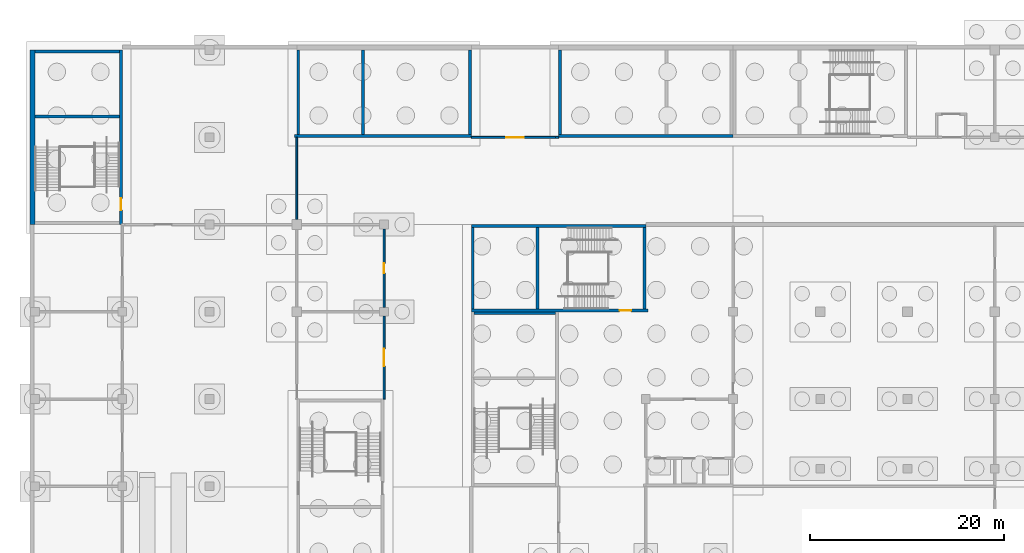
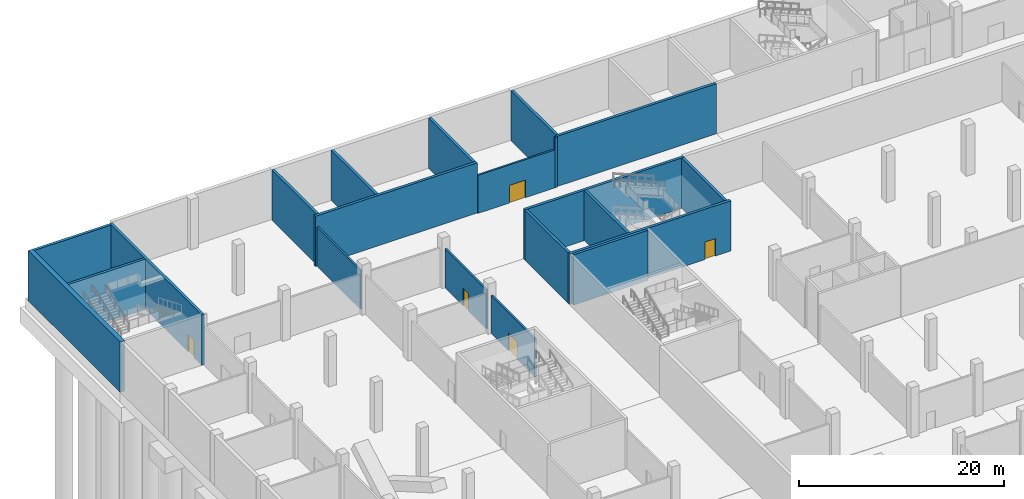
# One storey, part 13 of 42: 21 walls, 5 doors, 5 openings.
"""IFC4 building model written with IfcOpenShell, lengths in metres."""

import ifcopenshell
import ifcopenshell.guid

model = None  # the IFC model being written
_history = None  # IfcOwnerHistory: only IFC2X3 demands one
_inside = {}  # id of a spatial element -> (the spatial element, [elements in it])
_under = {}  # id of a project, library or spatial element -> (it, [spatial elements below it])
_declared = {}  # id of a project -> (the project, [libraries it declares])
_typed = {}  # id of a type object -> (the type object, [elements of that type])
_made_of = {}  # id of a material, layer set ... -> (it, [elements and type objects made of it])


def new_model(schema):
    """Start an empty IFC model of exactly this schema.

    Asked for "IFC4X3", IfcOpenShell would pick the latest addendum, in which some entities
    have other attributes; the version numbers below select the first issue.
    IFC2X3 requires an IfcOwnerHistory on every rooted entity: one is made here for all.
    """
    global model, _history
    if schema == "IFC4X3":
        model = ifcopenshell.file(schema_version=(4, 3, 0, 0))
    else:
        model = ifcopenshell.file(schema=schema)
    _inside.clear()
    _under.clear()
    _declared.clear()
    _typed.clear()
    _made_of.clear()
    _history = None
    if model.schema == "IFC2X3":
        org = make("IfcOrganization", Name="unknown")
        user = make(
            "IfcPersonAndOrganization",
            ThePerson=make("IfcPerson", FamilyName="unknown"),
            TheOrganization=org,
        )
        app = make(
            "IfcApplication",
            ApplicationDeveloper=org,
            Version="unknown",
            ApplicationFullName="unknown",
            ApplicationIdentifier="unknown",
        )
        _history = make(
            "IfcOwnerHistory",
            OwningUser=user,
            OwningApplication=app,
            ChangeAction="ADDED",
            CreationDate=0,
        )
    return model


def make(cls, **values):
    """One entity of the class cls with the attributes given. An attribute that is None is left unset."""
    return model.create_entity(
        cls, **{name: value for name, value in values.items() if value is not None}
    )


def rooted(cls, **values):
    """An entity with a GlobalId (a new one), such as an element, a storey or a relation."""
    return make(cls, GlobalId=ifcopenshell.guid.new(), OwnerHistory=_history, **values)


def si_unit(unit_type, name, prefix=None):
    """IfcSIUnit, for example si_unit("LENGTHUNIT", "METRE", prefix="MILLI")."""
    return make("IfcSIUnit", UnitType=unit_type, Prefix=prefix, Name=name)


def assignment(units):
    """IfcUnitAssignment: the units of a project."""
    return None if units is None else make("IfcUnitAssignment", Units=units)


def point(xyz):
    """IfcCartesianPoint."""
    return None if xyz is None else make("IfcCartesianPoint", Coordinates=xyz)


def direction(xyz):
    """IfcDirection."""
    return None if xyz is None else make("IfcDirection", DirectionRatios=xyz)


def frame(location, z_axis=None, x_axis=None):
    """IfcAxis2Placement3D, a coordinate frame: its origin and axes. An axis left out is left unset."""
    return make(
        "IfcAxis2Placement3D",
        Location=point(location),
        Axis=direction(z_axis),
        RefDirection=direction(x_axis),
    )


def frame_2d(location, x_axis=None):
    """IfcAxis2Placement2D, a coordinate frame in the plane: its origin and x axis."""
    return make(
        "IfcAxis2Placement2D", Location=point(location), RefDirection=direction(x_axis)
    )


def origin():
    """The frame at (0, 0, 0) with its axes left unset."""
    return frame((0.0, 0.0, 0.0))


def place(relative_to, where):
    """IfcLocalPlacement: puts the frame where relative to a parent placement (None: the world)."""
    return make(
        "IfcLocalPlacement", PlacementRelTo=relative_to, RelativePlacement=where
    )


def context(
    kind, dimensions, precision=None, world=None, true_north=None, identifier=None
):
    """IfcGeometricRepresentationContext, for example the 3D "Model" context."""
    return make(
        "IfcGeometricRepresentationContext",
        ContextIdentifier=identifier,
        ContextType=kind,
        CoordinateSpaceDimension=dimensions,
        Precision=precision,
        WorldCoordinateSystem=world,
        TrueNorth=true_north,
    )


def subcontext(parent, identifier, kind, view, scale=None):
    """IfcGeometricRepresentationSubContext, for example "Body" below "Model"."""
    return make(
        "IfcGeometricRepresentationSubContext",
        ContextIdentifier=identifier,
        ContextType=kind,
        ParentContext=parent,
        TargetScale=scale,
        TargetView=view,
    )


def project(units=None, contexts=None):
    """IfcProject with its units and contexts."""
    return rooted(
        "IfcProject",
        Name="project",
        RepresentationContexts=contexts,
        UnitsInContext=assignment(units),
    )


def spatial(cls, under=None, at=None, **own):
    """A site, building, storey or space (cls), placed at a placement, below another one or the project."""
    s = rooted(cls, ObjectPlacement=at, **own)
    if under is not None:
        _under.setdefault(under.id(), (under, []))[1].append(s)
    return s


def profile(cls, at=None, kind="AREA", **sizes):
    """A parametric profile (cls). Its sizes go by their IFC names, for example OverallWidth=200.0."""
    return make(cls, ProfileType=kind, Position=at, **sizes)


def rectangle(**sizes):
    """IfcRectangleProfileDef."""
    return profile("IfcRectangleProfileDef", **sizes)


def extrude(swept, where, along, depth):
    """IfcExtrudedAreaSolid: the profile swept, set in the frame where, extruded along a direction by depth."""
    return make(
        "IfcExtrudedAreaSolid",
        SweptArea=swept,
        Position=where,
        ExtrudedDirection=direction(along),
        Depth=depth,
    )


def shape(context_of_items, identifier, shape_type, items):
    """IfcShapeRepresentation: the items that make up one representation, for example the "Body"."""
    return make(
        "IfcShapeRepresentation",
        ContextOfItems=context_of_items,
        RepresentationIdentifier=identifier,
        RepresentationType=shape_type,
        Items=items,
    )


def material(Name=None, Category=None):
    """IfcMaterial."""
    return make("IfcMaterial", Name=Name, Category=Category)


def layer(
    of_material, thickness, ventilated=None, Name=None, Category=None, Priority=None
):
    """IfcMaterialLayer: one layer of a wall or slab, of a material (None: an air gap)."""
    return make(
        "IfcMaterialLayer",
        Material=of_material,
        LayerThickness=thickness,
        IsVentilated=ventilated,
        Name=Name,
        Category=Category,
        Priority=Priority,
    )


def layer_set(layers, Name=None):
    """IfcMaterialLayerSet."""
    return make("IfcMaterialLayerSet", MaterialLayers=layers, LayerSetName=Name)


def made_of(thing, what):
    """Note that an element or type object is made of a material, layer set ...; save() writes the relation."""
    if what is not None:
        _made_of.setdefault(what.id(), (what, []))[1].append(thing)
    return thing


def type_object(cls, material=None, **own):
    """A type object (cls), such as IfcWallType, which elements share."""
    return made_of(rooted(cls, **own), material)


def element(
    cls,
    number,
    at=None,
    inside=None,
    cuts=None,
    type_object=None,
    material=None,
    context=None,
    identifier="Body",
    shape_type=None,
    held_by="IfcProductDefinitionShape",
    body=None,
    shapes=None,
    **own,
):
    """One element of the class cls, such as IfcWall. Its Tag is "e" and its number.

    at: its placement. inside: the storey or other place that contains it. cuts: it is an
    opening in that element (IfcRelVoidsElement). A single representation is given by context,
    identifier, shape_type and body (its items); several are given by shapes. held_by: the class
    of the entity that holds the representations. save() writes the other relations.
    """
    e = rooted(cls, Tag="e%d" % number, ObjectPlacement=at, **own)
    if body is not None:
        shapes = [shape(context, identifier, shape_type, body)]
    if shapes is not None:
        e.Representation = make(held_by, Representations=shapes)
    if inside is not None:
        _inside.setdefault(inside.id(), (inside, []))[1].append(e)
    if cuts is not None:
        rooted(
            "IfcRelVoidsElement", RelatingBuildingElement=cuts, RelatedOpeningElement=e
        )
    if type_object is not None:
        _typed.setdefault(type_object.id(), (type_object, []))[1].append(e)
    return made_of(e, material)


def fill(opening, filler):
    """IfcRelFillsElement: the door or window that sits in an opening."""
    return rooted(
        "IfcRelFillsElement",
        RelatingOpeningElement=opening,
        RelatedBuildingElement=filler,
    )


def aggregate(whole, parts):
    """IfcRelAggregates: a whole, such as a stair, and the parts it consists of."""
    return rooted("IfcRelAggregates", RelatingObject=whole, RelatedObjects=parts)


def save(model, path):
    """Write the relations noted so far, then the file.

    IfcRelAggregates (storeys below a building ...), IfcRelContainedInSpatialStructure (elements
    in a storey), IfcRelDefinesByType, IfcRelAssociatesMaterial and IfcRelDeclares: one each for
    every whole, place, type object, material and project.
    """
    for whole, parts in _under.values():
        aggregate(whole, parts)
    for where, things in _inside.values():
        rooted(
            "IfcRelContainedInSpatialStructure",
            RelatedElements=things,
            RelatingStructure=where,
        )
    for kind, things in _typed.values():
        rooted("IfcRelDefinesByType", RelatedObjects=things, RelatingType=kind)
    for what, things in _made_of.values():
        rooted("IfcRelAssociatesMaterial", RelatedObjects=things, RelatingMaterial=what)
    for by, libraries in _declared.values():
        rooted("IfcRelDeclares", RelatingContext=by, RelatedDefinitions=libraries)
    model.write(path)


model = new_model("IFC4")

# Units and contexts
model_context = context("Model", 3, precision=1e-05, world=origin(), true_north=direction((0.0, 1.0)))
body_context = subcontext(model_context, "Body", "Model", "MODEL_VIEW")
ifc_project = project(units=[si_unit("LENGTHUNIT", "METRE"), si_unit("AREAUNIT", "SQUARE_METRE"), si_unit("VOLUMEUNIT", "CUBIC_METRE"), si_unit("PLANEANGLEUNIT", "RADIAN"), si_unit("MASSUNIT", "GRAM", prefix="KILO")], contexts=[model_context])

# Site, building, storey
site_placement = place(None, origin())
site = spatial("IfcSite", under=ifc_project, at=site_placement, CompositionType="ELEMENT")
building_placement = place(site_placement, origin())
building = spatial("IfcBuilding", under=site, at=building_placement, Name="Silverbay Arena", CompositionType="ELEMENT")
storey_placement = place(building_placement, frame((0.0, 0.0, -6.0)))
storey = spatial("IfcBuildingStorey", under=building, at=storey_placement, Name="B1", CompositionType="ELEMENT", Elevation=-6.0)

# Walls
ifc_material_1 = material(Name="Concrete Grade C45", Category="concrete")
ifc_layer_1 = layer(ifc_material_1, 0.300048828125)
ifc_layer_set_1 = layer_set([ifc_layer_1], Name="Concrete Grade C45")
wall_type_1 = type_object("IfcWallType", Name="Core wall RC 300 EI 240", PredefinedType="SHEAR", material=ifc_layer_set_1)
wall_1_placement = place(storey_placement, frame((81.0, 135.14990234375, 0.0), z_axis=(0.0, 0.0, 1.0), x_axis=(1.0, 0.0, 0.0)))
element("IfcWall", 1, at=wall_1_placement, inside=storey, type_object=wall_type_1, Name="Core wall ST-N1 B1 door side", PredefinedType="SHEAR", context=body_context, shape_type="SweptSolid", body=[
    extrude(rectangle(XDim=18.0, YDim=0.300048828125, at=frame_2d((9.0, 0.0))), origin(), (0.0, 0.0, 1.0), 6.0),
])
wall_2_placement = place(storey_placement, frame((81.14990234375, 135.300048828125, 0.0), z_axis=(0.0, 0.0, 1.0), x_axis=(0.0, 1.0, 0.0)))
element("IfcWall", 2, at=wall_2_placement, inside=storey, type_object=wall_type_1, Name="Core wall ST-N1 B1 end 1", PredefinedType="SHEAR", context=body_context, shape_type="SweptSolid", body=[
    extrude(rectangle(XDim=8.699951171875, YDim=0.300048828125, at=frame_2d((4.35009765625, 0.0))), origin(), (0.0, 0.0, 1.0), 6.0),
])
wall_3_placement = place(storey_placement, frame((72.0, 135.14990234375, 0.0), z_axis=(0.0, 0.0, 1.0), x_axis=(-1.0, 0.0, 0.0)))
element("IfcWall", 3, at=wall_3_placement, inside=storey, type_object=wall_type_1, Name="Core wall ST-N5 B1 door side", PredefinedType="SHEAR", context=body_context, shape_type="SweptSolid", body=[
    extrude(rectangle(XDim=18.25, YDim=0.300048828125, at=frame_2d((9.125, 0.0))), origin(), (0.0, 0.0, 1.0), 6.0),
])
for number, where, z_axis, x_axis, name in (
    (4, (71.85009765625, 135.300048828125, 0.0), (0.0, 0.0, 1.0), (0.0, 1.0, 0.0), "Core wall ST-N5 B1 end 1"),
    (5, (54.14990234375, 135.300048828125, 0.0), (0.0, 0.0, 1.0), (0.0, 1.0, 0.0), "Core wall ST-N5 B1 end 2"),
    (6, (60.85009765625, 135.300048828125, 0.0), (0.0, 0.0, 1.0), (0.0, 1.0, 0.0), "Core wall ST-N5 B1 stair enclosure"),
):
    element("IfcWall", number, at=place(storey_placement, frame(where, z_axis=z_axis, x_axis=x_axis)), inside=storey, type_object=wall_type_1, Name=name, PredefinedType="SHEAR", context=body_context, shape_type="SweptSolid", body=[
        extrude(rectangle(XDim=8.699951171875, YDim=0.300048828125, at=frame_2d((4.35009765625, 0.0))), origin(), (0.0, 0.0, 1.0), 6.0),
    ])

# Wall, opening, door
wall_4_placement = place(storey_placement, frame((90.25, 117.14990234375, 0.0), z_axis=(0.0, 0.0, 1.0), x_axis=(-1.0, 0.0, 0.0)))
wall_4 = element("IfcWall", 7, at=wall_4_placement, inside=storey, type_object=wall_type_1, Name="Core wall ST-NW1 B1 door side", PredefinedType="SHEAR", context=body_context, shape_type="SweptSolid", body=[
    extrude(rectangle(XDim=18.25, YDim=0.300048828125, at=frame_2d((9.125, 0.0))), origin(), (0.0, 0.0, 1.0), 6.0),
])
opening_1_placement = place(wall_4_placement, frame((1.75, 0.0, 0.0)))
opening_1 = element("IfcOpeningElement", 8, at=opening_1_placement, cuts=wall_4, Name="Opening B1-092", PredefinedType="OPENING", context=body_context, shape_type="SweptSolid", body=[
    extrude(rectangle(XDim=1.199951171875, YDim=2.10009765625, at=frame_2d((0.60009765625, 1.050048828125))), frame((0.0, 0.16015625, 0.0), z_axis=(0.0, -1.0, 0.0), x_axis=(1.0, 0.0, 0.0)), (0.0, 0.0, 1.0), 0.320068359375),
])
ifc_material_2 = material(Name="Steel fire door", Category="steel")
door_type_1 = type_object("IfcDoorType", Name="Stair door 1200 x 2100 fire door", OperationType="SINGLE_SWING_LEFT", PredefinedType="DOOR", material=ifc_material_2)
door_1_placement = place(opening_1_placement, frame((1.199951171875, 0.0, 0.0), z_axis=(0.0, 0.0, 1.0), x_axis=(-1.0, 0.0, 0.0)))
door_1 = element("IfcDoor", 9, at=door_1_placement, inside=storey, type_object=door_type_1, Name="Stair door ST-NW1 B1", OperationType="SINGLE_SWING_RIGHT", OverallHeight=2.10009765625, OverallWidth=1.199951171875, PredefinedType="DOOR", context=body_context, shape_type="SweptSolid", body=[
    extrude(rectangle(XDim=1.199951171875, YDim=2.10009765625, at=frame_2d((0.60009765625, 1.050048828125))), frame((0.0, 0.02490234375, 0.0), z_axis=(0.0, -1.0, 0.0), x_axis=(1.0, 0.0, 0.0)), (0.0, 0.0, 1.0), 0.050048828125),
])
fill(opening_1, door_1)

# Walls
wall_5_placement = place(storey_placement, frame((90.0, 125.85009765625, 0.0), z_axis=(0.0, 0.0, 1.0), x_axis=(-1.0, 0.0, 0.0)))
element("IfcWall", 10, at=wall_5_placement, inside=storey, type_object=wall_type_1, Name="Core wall ST-NW1 B1 far side", PredefinedType="SHEAR", context=body_context, shape_type="SweptSolid", body=[
    extrude(rectangle(XDim=18.0, YDim=0.300048828125, at=frame_2d((9.0, 0.0))), origin(), (0.0, 0.0, 1.0), 6.0),
])
for number, where, z_axis, x_axis, name in (
    (11, (89.85009765625, 117.300048828125, 0.0), (0.0, 0.0, 1.0), (0.0, 1.0, 0.0), "Core wall ST-NW1 B1 end 1"),
    (12, (72.14990234375, 117.300048828125, 0.0), (0.0, 0.0, 1.0), (0.0, 1.0, 0.0), "Core wall ST-NW1 B1 end 2"),
    (13, (78.85009765625, 117.300048828125, 0.0), (0.0, 0.0, 1.0), (0.0, 1.0, 0.0), "Core wall ST-NW1 B1 stair enclosure"),
    (14, (80.699951171875, 116.85009765625, 0.0), (0.0, 0.0, 1.0), (-1.0, 0.0, 0.0), "Core wall ST-NW2 B1 end 2"),
):
    element("IfcWall", number, at=place(storey_placement, frame(where, z_axis=z_axis, x_axis=x_axis)), inside=storey, type_object=wall_type_1, Name=name, PredefinedType="SHEAR", context=body_context, shape_type="SweptSolid", body=[
        extrude(rectangle(XDim=8.39990234375, YDim=0.300048828125, at=frame_2d((4.199951171875, 0.0))), origin(), (0.0, 0.0, 1.0), 6.0),
    ])

# Wall, opening, door
wall_6_placement = place(storey_placement, frame((35.85009765625, 126.0, 0.0), z_axis=(0.0, 0.0, 1.0), x_axis=(0.0, 1.0, 0.0)))
wall_6 = element("IfcWall", 15, at=wall_6_placement, inside=storey, type_object=wall_type_1, Name="Core wall ST-WG2 B1 door side", PredefinedType="SHEAR", context=body_context, shape_type="SweptSolid", body=[
    extrude(rectangle(XDim=18.0, YDim=0.300048828125, at=frame_2d((9.0, 0.0))), origin(), (0.0, 0.0, 1.0), 6.0),
])
opening_2_placement = place(wall_6_placement, frame((1.5, 0.0, 0.0)))
opening_2 = element("IfcOpeningElement", 16, at=opening_2_placement, cuts=wall_6, Name="Opening B1-097", PredefinedType="OPENING", context=body_context, shape_type="SweptSolid", body=[
    extrude(rectangle(XDim=1.199951171875, YDim=2.10009765625, at=frame_2d((0.60009765625, 1.050048828125))), frame((0.0, 0.16015625, 0.0), z_axis=(0.0, -1.0, 0.0), x_axis=(1.0, 0.0, 0.0)), (0.0, 0.0, 1.0), 0.320068359375),
])
door_2_placement = place(opening_2_placement, origin())
door_2 = element("IfcDoor", 17, at=door_2_placement, inside=storey, type_object=door_type_1, Name="Stair door ST-WG2 B1", OperationType="SINGLE_SWING_LEFT", OverallHeight=2.10009765625, OverallWidth=1.199951171875, PredefinedType="DOOR", context=body_context, shape_type="SweptSolid", body=[
    extrude(rectangle(XDim=1.199951171875, YDim=2.10009765625, at=frame_2d((0.60009765625, 1.050048828125))), frame((0.0, 0.02490234375, 0.0), z_axis=(0.0, -1.0, 0.0), x_axis=(1.0, 0.0, 0.0)), (0.0, 0.0, 1.0), 0.050048828125),
])
fill(opening_2, door_2)

# Walls
for number, where, z_axis, x_axis, name in (
    (18, (35.699951171875, 143.85009765625, 0.0), (0.0, 0.0, 1.0), (-1.0, 0.0, 0.0), "Core wall ST-WG2 B1 end 2"),
    (19, (35.699951171875, 137.14990234375, 0.0), (0.0, 0.0, 1.0), (-1.0, 0.0, 0.0), "Core wall ST-WG2 B1 stair enclosure"),
):
    element("IfcWall", number, at=place(storey_placement, frame(where, z_axis=z_axis, x_axis=x_axis)), inside=storey, type_object=wall_type_1, Name=name, PredefinedType="SHEAR", context=body_context, shape_type="SweptSolid", body=[
        extrude(rectangle(XDim=8.699951171875, YDim=0.300048828125, at=frame_2d((4.35009765625, 0.0))), origin(), (0.0, 0.0, 1.0), 6.0),
    ])
ifc_material_3 = material(Name="Concrete Grade C45", Category="concrete")
ifc_layer_2 = layer(ifc_material_3, 0.5)
ifc_layer_set_2 = layer_set([ifc_layer_2], Name="Concrete Grade C45")
wall_type_2 = type_object("IfcWallType", Name="Core wall RC 500 external EI 240", PredefinedType="SHEAR", material=ifc_layer_set_2)
wall_7_placement = place(storey_placement, frame((26.75, 126.0, 0.0), z_axis=(0.0, 0.0, 1.0), x_axis=(0.0, 1.0, 0.0)))
element("IfcWall", 20, at=wall_7_placement, inside=storey, type_object=wall_type_2, Name="Core wall ST-WG2 B1 facade side", PredefinedType="SHEAR", context=body_context, shape_type="SweptSolid", body=[
    extrude(rectangle(XDim=18.0, YDim=0.5, at=frame_2d((9.0, 0.0))), origin(), (0.0, 0.0, 1.0), 6.0),
])

# Wall, opening, door
ifc_material_4 = material(Name="Masonry blockwork partition", Category="masonry")
ifc_layer_3 = layer(ifc_material_4, 0.199951171875)
ifc_layer_set_3 = layer_set([ifc_layer_3], Name="Masonry blockwork partition")
wall_type_3 = type_object("IfcWallType", Name="Partition 200 EI 240", PredefinedType="PARTITIONING", material=ifc_layer_set_3)
wall_8_placement = place(storey_placement, frame((72.0, 135.0, 0.0), z_axis=(0.0, 0.0, 1.0), x_axis=(1.0, 0.0, 0.0)))
wall_8 = element("IfcWall", 21, at=wall_8_placement, inside=storey, type_object=wall_type_3, Name="Partition wall", PredefinedType="PARTITIONING", context=body_context, shape_type="SweptSolid", body=[
    extrude(rectangle(XDim=8.699951171875, YDim=0.199951171875, at=frame_2d((4.35009765625, 0.0))), origin(), (0.0, 0.0, 1.0), 4.550048828125),
])
opening_3_placement = place(wall_8_placement, frame((3.60009765625, 0.0, 0.0)))
opening_3 = element("IfcOpeningElement", 22, at=opening_3_placement, cuts=wall_8, Name="Opening B1-006", PredefinedType="OPENING", context=body_context, shape_type="SweptSolid", body=[
    extrude(rectangle(XDim=1.800048828125, YDim=2.10009765625, at=frame_2d((0.89990234375, 1.050048828125))), frame((0.0, 0.10986328125, 0.0), z_axis=(0.0, -1.0, 0.0), x_axis=(1.0, 0.0, 0.0)), (0.0, 0.0, 1.0), 0.219970703125),
])
ifc_material_5 = material(Name="Steel faced timber", Category="steel")
door_type_2 = type_object("IfcDoorType", Name="Double leaf door 1800 x 2100 FD120", OperationType="DOUBLE_DOOR_DOUBLE_SWING", PredefinedType="DOOR", material=ifc_material_5)
door_3_placement = place(opening_3_placement, origin())
door_3 = element("IfcDoor", 23, at=door_3_placement, inside=storey, type_object=door_type_2, Name="Door B1-006", OperationType="DOUBLE_DOOR_DOUBLE_SWING", OverallHeight=2.10009765625, OverallWidth=1.800048828125, PredefinedType="DOOR", context=body_context, shape_type="SweptSolid", body=[
    extrude(rectangle(XDim=1.800048828125, YDim=2.10009765625, at=frame_2d((0.89990234375, 1.050048828125))), frame((0.0, 0.02490234375, 0.0), z_axis=(0.0, -1.0, 0.0), x_axis=(1.0, 0.0, 0.0)), (0.0, 0.0, 1.0), 0.050048828125),
])
fill(opening_3, door_3)

# Wall
wall_9_placement = place(storey_placement, frame((54.0, 126.5, 0.0), z_axis=(0.0, 0.0, 1.0), x_axis=(0.0, 1.0, 0.0)))
element("IfcWall", 24, at=wall_9_placement, inside=storey, type_object=wall_type_3, Name="Partition wall", PredefinedType="PARTITIONING", context=body_context, shape_type="SweptSolid", body=[
    extrude(rectangle(XDim=8.5, YDim=0.199951171875, at=frame_2d((4.25, 0.0))), origin(), (0.0, 0.0, 1.0), 4.64990234375),
])

# Wall, opening, door
wall_10_placement = place(storey_placement, frame((63.0, 108.0, 0.0), z_axis=(0.0, 0.0, 1.0), x_axis=(0.0, 1.0, 0.0)))
wall_10 = element("IfcWall", 25, at=wall_10_placement, inside=storey, type_object=wall_type_3, Name="Partition wall", PredefinedType="PARTITIONING", context=body_context, shape_type="SweptSolid", body=[
    extrude(rectangle(XDim=8.550048828125, YDim=0.199951171875, at=frame_2d((4.27490234375, 0.0))), origin(), (0.0, 0.0, 1.0), 4.550048828125),
])
opening_4_placement = place(wall_10_placement, frame((3.375, 0.0, 0.0)))
opening_4 = element("IfcOpeningElement", 26, at=opening_4_placement, cuts=wall_10, Name="Opening B1-014", PredefinedType="OPENING", context=body_context, shape_type="SweptSolid", body=[
    extrude(rectangle(XDim=1.800048828125, YDim=2.10009765625, at=frame_2d((0.89990234375, 1.050048828125))), frame((0.0, 0.10986328125, 0.0), z_axis=(0.0, -1.0, 0.0), x_axis=(1.0, 0.0, 0.0)), (0.0, 0.0, 1.0), 0.219970703125),
])
door_4_placement = place(opening_4_placement, origin())
door_4 = element("IfcDoor", 27, at=door_4_placement, inside=storey, type_object=door_type_2, Name="Door B1-014", OperationType="DOUBLE_DOOR_DOUBLE_SWING", OverallHeight=2.10009765625, OverallWidth=1.800048828125, PredefinedType="DOOR", context=body_context, shape_type="SweptSolid", body=[
    extrude(rectangle(XDim=1.800048828125, YDim=2.10009765625, at=frame_2d((0.89990234375, 1.050048828125))), frame((0.0, 0.02490234375, 0.0), z_axis=(0.0, -1.0, 0.0), x_axis=(1.0, 0.0, 0.0)), (0.0, 0.0, 1.0), 0.050048828125),
])
fill(opening_4, door_4)

wall_11_placement = place(storey_placement, frame((63.0, 117.449951171875, 0.0), z_axis=(0.0, 0.0, 1.0), x_axis=(0.0, 1.0, 0.0)))
wall_11 = element("IfcWall", 28, at=wall_11_placement, inside=storey, type_object=wall_type_3, Name="Partition wall", PredefinedType="PARTITIONING", context=body_context, shape_type="SweptSolid", body=[
    extrude(rectangle(XDim=8.10009765625, YDim=0.199951171875, at=frame_2d((4.050048828125, 0.0))), origin(), (0.0, 0.0, 1.0), 4.64990234375),
])
opening_5_placement = place(wall_11_placement, frame((3.550048828125, 0.0, 0.0)))
opening_5 = element("IfcOpeningElement", 29, at=opening_5_placement, cuts=wall_11, Name="Opening B1-015", PredefinedType="OPENING", context=body_context, shape_type="SweptSolid", body=[
    extrude(rectangle(XDim=1.0, YDim=2.10009765625, at=frame_2d((0.5, 1.050048828125))), frame((0.0, 0.10986328125, 0.0), z_axis=(0.0, -1.0, 0.0), x_axis=(1.0, 0.0, 0.0)), (0.0, 0.0, 1.0), 0.219970703125),
])
ifc_material_6 = material(Name="Steel faced timber", Category="steel")
door_type_3 = type_object("IfcDoorType", Name="Single leaf door 1000 x 2100 FD30S", OperationType="SINGLE_SWING_LEFT", PredefinedType="DOOR", material=ifc_material_6)
door_5_placement = place(opening_5_placement, origin())
door_5 = element("IfcDoor", 30, at=door_5_placement, inside=storey, type_object=door_type_3, Name="Door B1-015", OperationType="SINGLE_SWING_LEFT", OverallHeight=2.10009765625, OverallWidth=1.0, PredefinedType="DOOR", context=body_context, shape_type="SweptSolid", body=[
    extrude(rectangle(XDim=1.0, YDim=2.10009765625, at=frame_2d((0.5, 1.050048828125))), frame((0.0, 0.02490234375, 0.0), z_axis=(0.0, -1.0, 0.0), x_axis=(1.0, 0.0, 0.0)), (0.0, 0.0, 1.0), 0.050048828125),
])
fill(opening_5, door_5)

# Wall
wall_12_placement = place(storey_placement, frame((80.699951171875, 135.0, 0.0), z_axis=(0.0, 0.0, 1.0), x_axis=(1.0, 0.0, 0.0)))
element("IfcWall", 31, at=wall_12_placement, inside=storey, type_object=wall_type_3, Name="Partition wall", PredefinedType="PARTITIONING", context=body_context, shape_type="SweptSolid", body=[
    extrude(rectangle(XDim=0.300048828125, YDim=0.199951171875, at=frame_2d((0.14990234375, 0.0))), origin(), (0.0, 0.0, 1.0), 6.0),
])

save(model, "model.ifc")
